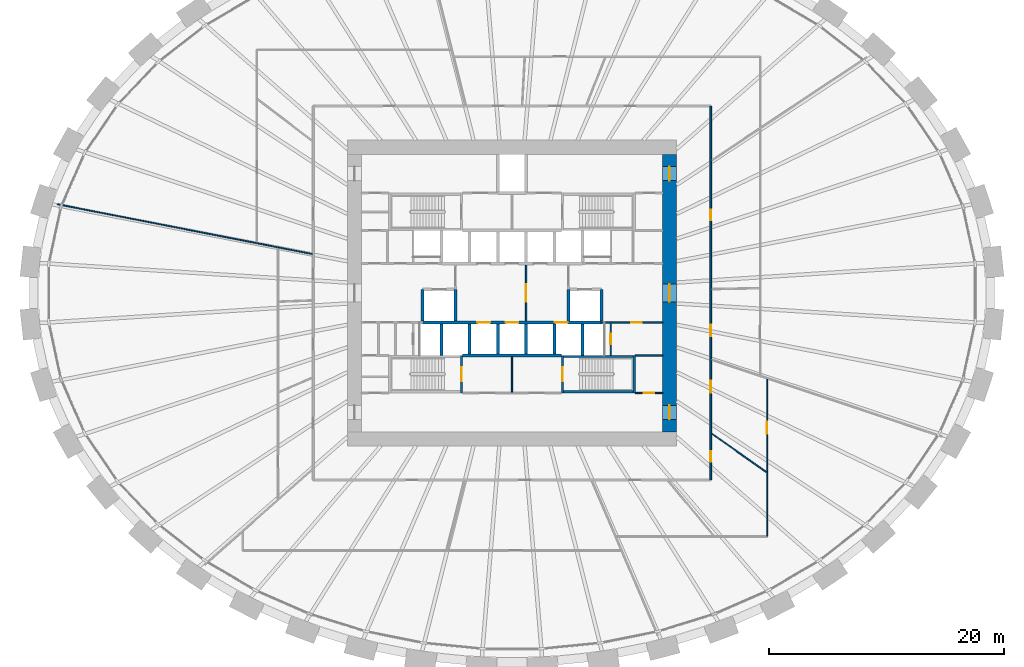
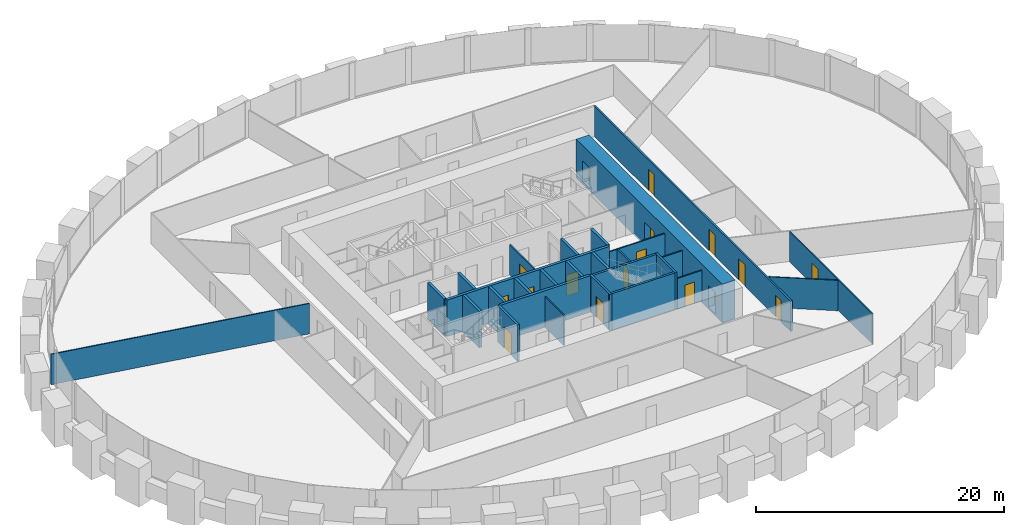
# One storey, part 7 of 10: 28 walls, 17 doors, 17 openings.
"""IFC4 building model written with IfcOpenShell, lengths in metres."""

from ifc_helpers import new_model, si_unit, direction, frame, frame_2d, origin, place, context, subcontext, project, spatial, rectangle, extrude, source, transform, mapped, material, layer, layer_set, type_object, element, fill, save


model = new_model("IFC4")

# Units and contexts
model_context = context("Model", 3, precision=1e-05, world=origin(), true_north=direction((0.0, 1.0)))
body_context = subcontext(model_context, "Body", "Model", "MODEL_VIEW")
ifc_project = project(units=[si_unit("LENGTHUNIT", "METRE"), si_unit("AREAUNIT", "SQUARE_METRE"), si_unit("VOLUMEUNIT", "CUBIC_METRE"), si_unit("PLANEANGLEUNIT", "RADIAN"), si_unit("MASSUNIT", "GRAM", prefix="KILO")], contexts=[model_context])

# Site, building, storey
site_placement = place(None, origin())
site = spatial("IfcSite", under=ifc_project, at=site_placement, CompositionType="ELEMENT")
building_placement = place(site_placement, origin())
building = spatial("IfcBuilding", under=site, at=building_placement, Name="Embergate Tower", CompositionType="ELEMENT")
storey_placement = place(building_placement, frame((0.0, 0.0, 97.10009765625)))
storey = spatial("IfcBuildingStorey", under=building, at=storey_placement, Name="L20", CompositionType="ELEMENT", Elevation=97.10009765625)

# Wall, openings, doors
ifc_material_1 = material(Name="Concrete C80", Category="concrete")
ifc_layer_1 = layer(ifc_material_1, 1.199951171875)
ifc_layer_set_1 = layer_set([ifc_layer_1], Name="Concrete C80")
wall_type_1 = type_object("IfcWallType", Name="Core outer wall C80 1200", PredefinedType="SHEAR", material=ifc_layer_set_1)
shared_shape_1 = source(origin(), body_context, "Body", "SweptSolid", [
    extrude(rectangle(XDim=23.60009765625, YDim=1.199951171875, at=frame_2d((11.800048828125, 0.0))), origin(), (0.0, 0.0, 1.0), 3.800048828125),
])
wall_1_placement = place(storey_placement, frame((13.39990234375, -11.800048828125, -0.2001953125), z_axis=(0.0, 0.0, 1.0), x_axis=(0.0, 1.0, 0.0)))
wall_1 = element("IfcWall", 1, at=wall_1_placement, inside=storey, type_object=wall_type_1, Name="CW-L20-E", PredefinedType="SHEAR", context=body_context, shape_type="MappedRepresentation", body=[
    mapped(shared_shape_1, transform((0.0, 0.0, 0.0))),
])
shared_shape_2 = source(origin(), body_context, "Body", "SweptSolid", [
    extrude(rectangle(XDim=1.199951171875, YDim=2.10009765625, at=frame_2d((0.60009765625, 1.050048828125))), frame((0.0, 0.60986328125, 0.0), z_axis=(0.0, -1.0, 0.0), x_axis=(1.0, 0.0, 0.0)), (0.0, 0.0, 1.0), 1.219970703125),
])
opening_1_placement = place(wall_1_placement, frame((21.35009765625, 0.0, 0.199951171875)))
opening_1 = element("IfcOpeningElement", 2, at=opening_1_placement, cuts=wall_1, Name="Opening IF-1", PredefinedType="OPENING", context=body_context, shape_type="MappedRepresentation", body=[
    mapped(shared_shape_2, transform((0.0, 0.0, 0.0))),
])
opening_2_placement = place(wall_1_placement, frame((1.050048828125, 0.0, 0.199951171875)))
opening_2 = element("IfcOpeningElement", 3, at=opening_2_placement, cuts=wall_1, Name="Opening IF-1", PredefinedType="OPENING", context=body_context, shape_type="MappedRepresentation", body=[
    mapped(shared_shape_2, transform((0.0, 0.0, 0.0))),
])
shared_shape_3 = source(origin(), body_context, "Body", "SweptSolid", [
    extrude(rectangle(XDim=1.5, YDim=2.10009765625, at=frame_2d((0.75, 1.050048828125))), frame((0.0, 0.60986328125, 0.0), z_axis=(0.0, -1.0, 0.0), x_axis=(1.0, 0.0, 0.0)), (0.0, 0.0, 1.0), 1.219970703125),
])
opening_3_placement = place(wall_1_placement, frame((11.050048828125, 0.0, 0.199951171875)))
opening_3 = element("IfcOpeningElement", 4, at=opening_3_placement, cuts=wall_1, Name="Opening IF-3", PredefinedType="OPENING", context=body_context, shape_type="MappedRepresentation", body=[
    mapped(shared_shape_3, transform((0.0, 0.0, 0.0))),
])
ifc_material_2 = material(Name="Escape fire door 1200")
door_type_1 = type_object("IfcDoorType", Name="Escape fire door 1200", OperationType="SINGLE_SWING_LEFT", PredefinedType="DOOR", material=ifc_material_2)
shared_shape_4 = source(origin(), body_context, "Body", "SweptSolid", [
    extrude(rectangle(XDim=1.199951171875, YDim=2.10009765625, at=frame_2d((0.60009765625, 1.050048828125))), frame((0.0, 0.02490234375, 0.0), z_axis=(0.0, -1.0, 0.0), x_axis=(1.0, 0.0, 0.0)), (0.0, 0.0, 1.0), 0.050048828125),
])
door_1_placement = place(opening_1_placement, origin())
door_1 = element("IfcDoor", 5, at=door_1_placement, inside=storey, type_object=door_type_1, Name="IF-1 door", OperationType="SINGLE_SWING_RIGHT", OverallHeight=2.10009765625, OverallWidth=1.199951171875, PredefinedType="DOOR", context=body_context, shape_type="MappedRepresentation", body=[
    mapped(shared_shape_4, transform((0.0, 0.0, 0.0))),
])
fill(opening_1, door_1)
door_2_placement = place(opening_2_placement, origin())
door_2 = element("IfcDoor", 6, at=door_2_placement, inside=storey, type_object=door_type_1, Name="IF-1 door", OperationType="SINGLE_SWING_RIGHT", OverallHeight=2.10009765625, OverallWidth=1.199951171875, PredefinedType="DOOR", context=body_context, shape_type="MappedRepresentation", body=[
    mapped(shared_shape_4, transform((0.0, 0.0, 0.0))),
])
fill(opening_2, door_2)
ifc_material_3 = material(Name="Lobby fire door pair 1500")
door_type_2 = type_object("IfcDoorType", Name="Lobby fire door pair 1500", OperationType="DOUBLE_DOOR_SINGLE_SWING", PredefinedType="DOOR", material=ifc_material_3)
shared_shape_5 = source(origin(), body_context, "Body", "SweptSolid", [
    extrude(rectangle(XDim=1.5, YDim=2.10009765625, at=frame_2d((0.75, 1.050048828125))), frame((0.0, 0.02490234375, 0.0), z_axis=(0.0, -1.0, 0.0), x_axis=(1.0, 0.0, 0.0)), (0.0, 0.0, 1.0), 0.050048828125),
])
door_3_placement = place(opening_3_placement, origin())
door_3 = element("IfcDoor", 7, at=door_3_placement, inside=storey, type_object=door_type_2, Name="IF-3 door", OperationType="DOUBLE_DOOR_SINGLE_SWING", OverallHeight=2.10009765625, OverallWidth=1.5, PredefinedType="DOOR", context=body_context, shape_type="MappedRepresentation", body=[
    mapped(shared_shape_5, transform((0.0, 0.0, 0.0))),
])
fill(opening_3, door_3)

# Wall, opening, door
ifc_material_4 = material(Name="Core partition blockwork 120")
ifc_layer_2 = layer(ifc_material_4, 0.1201171875)
ifc_layer_set_2 = layer_set([ifc_layer_2], Name="Core partition blockwork 120")
wall_type_2 = type_object("IfcWallType", Name="Core partition blockwork 120", PredefinedType="PARTITIONING", material=ifc_layer_set_2)
shared_shape_6 = source(origin(), body_context, "Body", "SweptSolid", [
    extrude(rectangle(XDim=2.739990234375, YDim=0.1201171875, at=frame_2d((1.3701171875, 0.0))), origin(), (0.0, 0.0, 1.0), 3.0),
])
wall_2_placement = place(storey_placement, frame((8.39990234375, -5.300048828125, 0.0), z_axis=(0.0, 0.0, 1.0), x_axis=(0.0, 1.0, 0.0)))
wall_2 = element("IfcWall", 8, at=wall_2_placement, inside=storey, type_object=wall_type_2, Name="IP-3 wall", PredefinedType="PARTITIONING", context=body_context, shape_type="MappedRepresentation", body=[
    mapped(shared_shape_6, transform((0.0, 0.0, 0.0))),
])
shared_shape_7 = source(origin(), body_context, "Body", "SweptSolid", [
    extrude(rectangle(XDim=0.89990234375, YDim=2.10009765625, at=frame_2d((0.449951171875, 1.050048828125))), frame((0.0, 0.070068359375, 0.0), z_axis=(0.0, -1.0, 0.0), x_axis=(1.0, 0.0, 0.0)), (0.0, 0.0, 1.0), 0.14013671875),
])
opening_4_placement = place(wall_2_placement, frame((0.949951171875, 0.0, 0.0)))
opening_4 = element("IfcOpeningElement", 9, at=opening_4_placement, cuts=wall_2, Name="Opening ID-1", PredefinedType="OPENING", context=body_context, shape_type="MappedRepresentation", body=[
    mapped(shared_shape_7, transform((0.0, 0.0, 0.0))),
])
ifc_material_5 = material(Name="Interior door 900")
door_type_3 = type_object("IfcDoorType", Name="Interior door 900", OperationType="SINGLE_SWING_LEFT", PredefinedType="DOOR", material=ifc_material_5)
shared_shape_8 = source(origin(), body_context, "Body", "SweptSolid", [
    extrude(rectangle(XDim=0.89990234375, YDim=2.10009765625, at=frame_2d((0.449951171875, 1.050048828125))), frame((0.0, 0.02490234375, 0.0), z_axis=(0.0, -1.0, 0.0), x_axis=(1.0, 0.0, 0.0)), (0.0, 0.0, 1.0), 0.050048828125),
])
door_4_placement = place(opening_4_placement, origin())
door_4 = element("IfcDoor", 10, at=door_4_placement, inside=storey, type_object=door_type_3, Name="ID-1 door", OperationType="SINGLE_SWING_LEFT", OverallHeight=2.10009765625, OverallWidth=0.89990234375, PredefinedType="DOOR", context=body_context, shape_type="MappedRepresentation", body=[
    mapped(shared_shape_8, transform((0.0, 0.0, 0.0))),
])
fill(opening_4, door_4)

shared_shape_9 = source(origin(), body_context, "Body", "SweptSolid", [
    extrude(rectangle(XDim=5.199951171875, YDim=0.1201171875, at=frame_2d((2.60009765625, 0.0))), origin(), (0.0, 0.0, 1.0), 3.0),
])
wall_3_placement = place(storey_placement, frame((12.800048828125, -2.5, 0.0), z_axis=(0.0, 0.0, 1.0), x_axis=(-1.0, 0.0, 0.0)))
wall_3 = element("IfcWall", 11, at=wall_3_placement, inside=storey, type_object=wall_type_2, Name="IP-3 wall", PredefinedType="PARTITIONING", context=body_context, shape_type="MappedRepresentation", body=[
    mapped(shared_shape_9, transform((0.0, 0.0, 0.0))),
])
opening_5_placement = place(wall_3_placement, frame((1.75, 0.0, 0.0)))
opening_5 = element("IfcOpeningElement", 12, at=opening_5_placement, cuts=wall_3, Name="Opening ID-1", PredefinedType="OPENING", context=body_context, shape_type="MappedRepresentation", body=[
    mapped(shared_shape_7, transform((0.0, 0.0, 0.0))),
])
door_5_placement = place(opening_5_placement, origin())
door_5 = element("IfcDoor", 13, at=door_5_placement, inside=storey, type_object=door_type_3, Name="ID-1 door", OperationType="SINGLE_SWING_LEFT", OverallHeight=2.10009765625, OverallWidth=0.89990234375, PredefinedType="DOOR", context=body_context, shape_type="MappedRepresentation", body=[
    mapped(shared_shape_8, transform((0.0, 0.0, 0.0))),
])
fill(opening_5, door_5)

shared_shape_10 = source(origin(), body_context, "Body", "SweptSolid", [
    extrude(rectangle(XDim=4.75, YDim=0.1201171875, at=frame_2d((2.375, 0.0))), origin(), (0.0, 0.0, 1.0), 3.0),
])
wall_4_placement = place(storey_placement, frame((1.199951171875, -2.375, 0.0), z_axis=(0.0, 0.0, 1.0), x_axis=(0.0, 1.0, 0.0)))
wall_4 = element("IfcWall", 14, at=wall_4_placement, inside=storey, type_object=wall_type_2, Name="IP-3 wall", PredefinedType="PARTITIONING", context=body_context, shape_type="MappedRepresentation", body=[
    mapped(shared_shape_10, transform((0.0, 0.0, 0.0))),
])
shared_shape_11 = source(origin(), body_context, "Body", "SweptSolid", [
    extrude(rectangle(XDim=1.5, YDim=2.10009765625, at=frame_2d((0.75, 1.050048828125))), frame((0.0, 0.070068359375, 0.0), z_axis=(0.0, -1.0, 0.0), x_axis=(1.0, 0.0, 0.0)), (0.0, 0.0, 1.0), 0.14013671875),
])
opening_6_placement = place(wall_4_placement, frame((1.625, 0.0, 0.0)))
opening_6 = element("IfcOpeningElement", 15, at=opening_6_placement, cuts=wall_4, Name="Opening IF-3", PredefinedType="OPENING", context=body_context, shape_type="MappedRepresentation", body=[
    mapped(shared_shape_11, transform((0.0, 0.0, 0.0))),
])
door_6_placement = place(opening_6_placement, origin())
door_6 = element("IfcDoor", 16, at=door_6_placement, inside=storey, type_object=door_type_2, Name="IF-3 door", OperationType="DOUBLE_DOOR_SINGLE_SWING", OverallHeight=2.10009765625, OverallWidth=1.5, PredefinedType="DOOR", context=body_context, shape_type="MappedRepresentation", body=[
    mapped(shared_shape_5, transform((0.0, 0.0, 0.0))),
])
fill(opening_6, door_6)

# Wall
shared_shape_12 = source(origin(), body_context, "Body", "SweptSolid", [
    extrude(rectangle(XDim=3.014892578125, YDim=0.1201171875, at=frame_2d((1.50732421875, 0.0))), origin(), (0.0, 0.0, 1.0), 3.0),
])
wall_5_placement = place(storey_placement, frame((0.0, -8.43994140625, 0.0), z_axis=(0.0, 0.0, 1.0), x_axis=(0.0, 1.0, 0.0)))
element("IfcWall", 17, at=wall_5_placement, inside=storey, type_object=wall_type_2, Name="IP-3 wall", PredefinedType="PARTITIONING", context=body_context, shape_type="MappedRepresentation", body=[
    mapped(shared_shape_12, transform((0.0, 0.0, 0.0))),
])

# Wall, opening, door
shared_shape_13 = source(origin(), body_context, "Body", "SweptSolid", [
    extrude(rectangle(XDim=2.300048828125, YDim=0.1201171875, at=frame_2d((1.14990234375, 0.0))), origin(), (0.0, 0.0, 1.0), 3.0),
])
wall_6_placement = place(storey_placement, frame((12.800048828125, -8.5, 0.0), z_axis=(0.0, 0.0, 1.0), x_axis=(-1.0, 0.0, 0.0)))
wall_6 = element("IfcWall", 18, at=wall_6_placement, inside=storey, type_object=wall_type_2, Name="IP-3 wall", PredefinedType="PARTITIONING", context=body_context, shape_type="MappedRepresentation", body=[
    mapped(shared_shape_13, transform((0.0, 0.0, 0.0))),
])
opening_7_placement = place(wall_6_placement, frame((0.699951171875, 0.0, 0.0)))
opening_7 = element("IfcOpeningElement", 19, at=opening_7_placement, cuts=wall_6, Name="Opening ID-1", PredefinedType="OPENING", context=body_context, shape_type="MappedRepresentation", body=[
    mapped(shared_shape_7, transform((0.0, 0.0, 0.0))),
])
door_7_placement = place(opening_7_placement, origin())
door_7 = element("IfcDoor", 20, at=door_7_placement, inside=storey, type_object=door_type_3, Name="ID-1 door", OperationType="SINGLE_SWING_RIGHT", OverallHeight=2.10009765625, OverallWidth=0.89990234375, PredefinedType="DOOR", context=body_context, shape_type="MappedRepresentation", body=[
    mapped(shared_shape_8, transform((0.0, 0.0, 0.0))),
])
fill(opening_7, door_7)

# Wall
wall_7_placement = place(storey_placement, frame((10.5, -5.300048828125, 0.0), z_axis=(0.0, 0.0, 1.0), x_axis=(1.0, 0.0, 0.0)))
element("IfcWall", 21, at=wall_7_placement, inside=storey, type_object=wall_type_2, Name="IP-3 wall", PredefinedType="PARTITIONING", context=body_context, shape_type="MappedRepresentation", body=[
    mapped(shared_shape_13, transform((0.0, 0.0, 0.0))),
])

# Wall, openings, doors
ifc_material_6 = material(Name="Corridor wall dry-lined 150")
ifc_layer_3 = layer(ifc_material_6, 0.14990234375)
ifc_layer_set_3 = layer_set([ifc_layer_3], Name="Corridor wall dry-lined 150")
wall_type_3 = type_object("IfcWallType", Name="Corridor wall dry-lined 150", PredefinedType="PARTITIONING", material=ifc_layer_set_3)
shared_shape_14 = source(origin(), body_context, "Body", "SweptSolid", [
    extrude(rectangle(XDim=31.7998046875, YDim=0.14990234375, at=frame_2d((15.89990234375, 0.0))), origin(), (0.0, 0.0, 1.0), 3.0),
])
wall_8_placement = place(storey_placement, frame((16.89990234375, 15.89990234375, 0.0), z_axis=(0.0, 0.0, 1.0), x_axis=(0.0, -1.0, 0.0)))
wall_8 = element("IfcWall", 22, at=wall_8_placement, inside=storey, type_object=wall_type_3, Name="IP-2 wall", PredefinedType="PARTITIONING", context=body_context, shape_type="MappedRepresentation", body=[
    mapped(shared_shape_14, transform((0.0, 0.0, 0.0))),
])
shared_shape_15 = source(origin(), body_context, "Body", "SweptSolid", [
    extrude(rectangle(XDim=0.89990234375, YDim=2.10009765625, at=frame_2d((0.449951171875, 1.050048828125))), frame((0.0, 0.0849609375, 0.0), z_axis=(0.0, -1.0, 0.0), x_axis=(1.0, 0.0, 0.0)), (0.0, 0.0, 1.0), 0.169921875),
])
opening_8_placement = place(wall_8_placement, frame((29.34912109375, 0.0, 0.0)))
opening_8 = element("IfcOpeningElement", 23, at=opening_8_placement, cuts=wall_8, Name="Opening IF-1c", PredefinedType="OPENING", context=body_context, shape_type="MappedRepresentation", body=[
    mapped(shared_shape_15, transform((0.0, 0.0, 0.0))),
])
shared_shape_16 = source(origin(), body_context, "Body", "SweptSolid", [
    extrude(rectangle(XDim=1.0, YDim=2.10009765625, at=frame_2d((0.5, 1.050048828125))), frame((0.0, 0.0849609375, 0.0), z_axis=(0.0, -1.0, 0.0), x_axis=(1.0, 0.0, 0.0)), (0.0, 0.0, 1.0), 0.169921875),
])
opening_9_placement = place(wall_8_placement, frame((23.37890625, 0.0, 0.0)))
opening_9 = element("IfcOpeningElement", 24, at=opening_9_placement, cuts=wall_8, Name="Opening ID-2", PredefinedType="OPENING", context=body_context, shape_type="MappedRepresentation", body=[
    mapped(shared_shape_16, transform((0.0, 0.0, 0.0))),
])
opening_10_placement = place(wall_8_placement, frame((18.580078125, 0.0, 0.0)))
opening_10 = element("IfcOpeningElement", 25, at=opening_10_placement, cuts=wall_8, Name="Opening ID-2", PredefinedType="OPENING", context=body_context, shape_type="MappedRepresentation", body=[
    mapped(shared_shape_16, transform((0.0, 0.0, 0.0))),
])
opening_11_placement = place(wall_8_placement, frame((8.822021484375, 0.0, 0.0)))
opening_11 = element("IfcOpeningElement", 26, at=opening_11_placement, cuts=wall_8, Name="Opening IF-1c", PredefinedType="OPENING", context=body_context, shape_type="MappedRepresentation", body=[
    mapped(shared_shape_15, transform((0.0, 0.0, 0.0))),
])
ifc_material_7 = material(Name="Escape fire door 900")
door_type_4 = type_object("IfcDoorType", Name="Escape fire door 900", OperationType="SINGLE_SWING_LEFT", PredefinedType="DOOR", material=ifc_material_7)
door_8_placement = place(opening_8_placement, origin())
door_8 = element("IfcDoor", 27, at=door_8_placement, inside=storey, type_object=door_type_4, Name="IF-1 door", OperationType="SINGLE_SWING_RIGHT", OverallHeight=2.10009765625, OverallWidth=0.89990234375, PredefinedType="DOOR", context=body_context, shape_type="MappedRepresentation", body=[
    mapped(shared_shape_8, transform((0.0, 0.0, 0.0))),
])
fill(opening_8, door_8)
door_9_placement = place(opening_11_placement, origin())
door_9 = element("IfcDoor", 28, at=door_9_placement, inside=storey, type_object=door_type_4, Name="IF-1 door", OperationType="SINGLE_SWING_LEFT", OverallHeight=2.10009765625, OverallWidth=0.89990234375, PredefinedType="DOOR", context=body_context, shape_type="MappedRepresentation", body=[
    mapped(shared_shape_8, transform((0.0, 0.0, 0.0))),
])
fill(opening_11, door_9)
ifc_material_8 = material(Name="Interior door 1000")
door_type_5 = type_object("IfcDoorType", Name="Interior door 1000", OperationType="SINGLE_SWING_LEFT", PredefinedType="DOOR", material=ifc_material_8)
shared_shape_17 = source(origin(), body_context, "Body", "SweptSolid", [
    extrude(rectangle(XDim=1.0, YDim=2.10009765625, at=frame_2d((0.5, 1.050048828125))), frame((0.0, 0.02490234375, 0.0), z_axis=(0.0, -1.0, 0.0), x_axis=(1.0, 0.0, 0.0)), (0.0, 0.0, 1.0), 0.050048828125),
])
door_10_placement = place(opening_9_placement, origin())
door_10 = element("IfcDoor", 29, at=door_10_placement, inside=storey, type_object=door_type_5, Name="ID-2 door", OperationType="SINGLE_SWING_RIGHT", OverallHeight=2.10009765625, OverallWidth=1.0, PredefinedType="DOOR", context=body_context, shape_type="MappedRepresentation", body=[
    mapped(shared_shape_17, transform((0.0, 0.0, 0.0))),
])
fill(opening_9, door_10)
door_11_placement = place(opening_10_placement, origin())
door_11 = element("IfcDoor", 30, at=door_11_placement, inside=storey, type_object=door_type_5, Name="ID-2 door", OperationType="SINGLE_SWING_LEFT", OverallHeight=2.10009765625, OverallWidth=1.0, PredefinedType="DOOR", context=body_context, shape_type="MappedRepresentation", body=[
    mapped(shared_shape_17, transform((0.0, 0.0, 0.0))),
])
fill(opening_10, door_11)

# Wall
ifc_material_9 = material(Name="Partition dry-lined 100")
ifc_layer_4 = layer(ifc_material_9, 0.10009765625)
ifc_layer_set_4 = layer_set([ifc_layer_4], Name="Partition dry-lined 100")
wall_type_4 = type_object("IfcWallType", Name="Partition dry-lined 100", PredefinedType="PARTITIONING", material=ifc_layer_set_4)
shared_shape_18 = source(origin(), body_context, "Body", "SweptSolid", [
    extrude(rectangle(XDim=5.64697265625, YDim=0.10009765625, at=frame_2d((2.823486328125, 0.0))), origin(), (0.0, 0.0, 1.0), 3.0),
])
wall_9_placement = place(storey_placement, frame((17.00390625, -11.971923828125, 0.0), z_axis=(0.0, 0.0, 1.0), x_axis=(0.817652649487, -0.575711859167, 0.0)))
element("IfcWall", 31, at=wall_9_placement, inside=storey, type_object=wall_type_4, Name="IP-1 wall", PredefinedType="PARTITIONING", context=body_context, shape_type="MappedRepresentation", body=[
    mapped(shared_shape_18, transform((0.0, 0.0, 0.0))),
])

# Wall, opening, door
shared_shape_19 = source(origin(), body_context, "Body", "SweptSolid", [
    extrude(rectangle(XDim=13.385986328125, YDim=0.10009765625, at=frame_2d((6.69287109375, 0.0))), origin(), (0.0, 0.0, 1.0), 3.0),
])
wall_10_placement = place(storey_placement, frame((21.699951171875, -7.31396484375, 0.0), z_axis=(0.0, 0.0, 1.0), x_axis=(0.0, -1.0, 0.0)))
wall_10 = element("IfcWall", 32, at=wall_10_placement, inside=storey, type_object=wall_type_4, Name="IP-1 wall", PredefinedType="PARTITIONING", context=body_context, shape_type="MappedRepresentation", body=[
    mapped(shared_shape_19, transform((0.0, 0.0, 0.0))),
])
shared_shape_20 = source(origin(), body_context, "Body", "SweptSolid", [
    extrude(rectangle(XDim=1.0, YDim=2.10009765625, at=frame_2d((0.5, 1.050048828125))), frame((0.0, 0.06005859375, 0.0), z_axis=(0.0, -1.0, 0.0), x_axis=(1.0, 0.0, 0.0)), (0.0, 0.0, 1.0), 0.1201171875),
])
opening_12_placement = place(wall_10_placement, frame((3.639892578125, 0.0, 0.0)))
opening_12 = element("IfcOpeningElement", 33, at=opening_12_placement, cuts=wall_10, Name="Opening ID-2", PredefinedType="OPENING", context=body_context, shape_type="MappedRepresentation", body=[
    mapped(shared_shape_20, transform((0.0, 0.0, 0.0))),
])
door_12_placement = place(opening_12_placement, origin())
door_12 = element("IfcDoor", 34, at=door_12_placement, inside=storey, type_object=door_type_5, Name="ID-2 door", OperationType="SINGLE_SWING_RIGHT", OverallHeight=2.10009765625, OverallWidth=1.0, PredefinedType="DOOR", context=body_context, shape_type="MappedRepresentation", body=[
    mapped(shared_shape_17, transform((0.0, 0.0, 0.0))),
])
fill(opening_12, door_12)

# Walls
shared_shape_21 = source(origin(), body_context, "Body", "SweptSolid", [
    extrude(rectangle(XDim=22.083740234375, YDim=0.10009765625, at=frame_2d((11.0419921875, 0.0))), origin(), (0.0, 0.0, 1.0), 3.0),
])
wall_11_placement = place(storey_placement, frame((-16.985107421875, 3.318115234375, 0.0), z_axis=(0.0, 0.0, 1.0), x_axis=(-0.981440991078, 0.191764389376, 0.0)))
element("IfcWall", 35, at=wall_11_placement, inside=storey, type_object=wall_type_4, Name="IP-1 wall", PredefinedType="PARTITIONING", context=body_context, shape_type="MappedRepresentation", body=[
    mapped(shared_shape_21, transform((0.0, 0.0, 0.0))),
])
ifc_material_10 = material(Name="Concrete C50", Category="concrete")
ifc_layer_5 = layer(ifc_material_10, 0.25)
ifc_layer_set_5 = layer_set([ifc_layer_5], Name="Concrete C50")
wall_type_5 = type_object("IfcWallType", Name="Hoistway wall reinforced concrete 250", PredefinedType="SHEAR", material=ifc_layer_set_5)
shared_shape_22 = source(origin(), body_context, "Body", "SweptSolid", [
    extrude(rectangle(XDim=2.675048828125, YDim=0.25, at=frame_2d((1.33740234375, 0.0))), origin(), (0.0, 0.0, 1.0), 3.599853515625),
])
for number, where, z_axis, x_axis, name in (
    (36, (-6.0, -5.300048828125, 0.0), (0.0, 0.0, 1.0), (0.0, 1.0, 0.0), "HW-1 wall"),
    (37, (6.0, -5.300048828125, 0.0), (0.0, 0.0, 1.0), (0.0, 1.0, 0.0), "HW-1 wall"),
    (38, (-4.800048828125, 0.300048828125, 0.0), (0.0, 0.0, 1.0), (0.0, -1.0, 0.0), "HW-1 wall"),
    (39, (4.800048828125, -2.375, 0.0), (0.0, 0.0, 1.0), (0.0, 1.0, 0.0), "HW-1 wall"),
    (40, (-7.60009765625, 0.300048828125, 0.0), (0.0, 0.0, 1.0), (0.0, -1.0, 0.0), "HW-1 wall"),
    (41, (7.60009765625, -2.375, 0.0), (0.0, 0.0, 1.0), (0.0, 1.0, 0.0), "HW-1 wall"),
):
    element("IfcWall", number, at=place(storey_placement, frame(where, z_axis=z_axis, x_axis=x_axis)), inside=storey, type_object=wall_type_5, Name=name, PredefinedType="SHEAR", context=body_context, shape_type="MappedRepresentation", body=[
        mapped(shared_shape_22, transform((0.0, 0.0, 0.0))),
    ])
ifc_layer_6 = layer(ifc_material_10, 0.199951171875)
ifc_layer_set_6 = layer_set([ifc_layer_6], Name="Concrete C50")
wall_type_6 = type_object("IfcWallType", Name="Stair enclosure wall reinforced concrete 250", PredefinedType="SHEAR", material=ifc_layer_set_6)
shared_shape_23 = source(origin(), body_context, "Body", "SweptSolid", [
    extrude(rectangle(XDim=6.300048828125, YDim=0.199951171875, at=frame_2d((3.14990234375, 0.0))), origin(), (0.0, 0.0, 1.0), 3.599853515625),
])
for number, where, z_axis, x_axis, name in (
    (42, (4.199951171875, -5.39990234375, 0.0), (0.0, 0.0, 1.0), (1.0, 0.0, 0.0), "SE-1 wall"),
    (43, (4.199951171875, -8.39990234375, 0.0), (0.0, 0.0, 1.0), (1.0, 0.0, 0.0), "SE-1 wall"),
):
    element("IfcWall", number, at=place(storey_placement, frame(where, z_axis=z_axis, x_axis=x_axis)), inside=storey, type_object=wall_type_6, Name=name, PredefinedType="SHEAR", context=body_context, shape_type="MappedRepresentation", body=[
        mapped(shared_shape_23, transform((0.0, 0.0, 0.0))),
    ])
shared_shape_24 = source(origin(), body_context, "Body", "SweptSolid", [
    extrude(rectangle(XDim=2.550048828125, YDim=0.25, at=frame_2d((1.27490234375, 0.0))), origin(), (0.0, 0.0, 1.0), 3.599853515625),
])
for number, where, z_axis, x_axis, name in (
    (44, (-3.60009765625, -5.175048828125, 0.0), (0.0, 0.0, 1.0), (0.0, 1.0, 0.0), "HW-1 wall"),
    (45, (-1.199951171875, -5.175048828125, 0.0), (0.0, 0.0, 1.0), (0.0, 1.0, 0.0), "HW-1 wall"),
    (46, (1.199951171875, -5.175048828125, 0.0), (0.0, 0.0, 1.0), (0.0, 1.0, 0.0), "HW-1 wall"),
    (47, (3.60009765625, -5.175048828125, 0.0), (0.0, 0.0, 1.0), (0.0, 1.0, 0.0), "HW-1 wall"),
):
    element("IfcWall", number, at=place(storey_placement, frame(where, z_axis=z_axis, x_axis=x_axis)), inside=storey, type_object=wall_type_5, Name=name, PredefinedType="SHEAR", context=body_context, shape_type="MappedRepresentation", body=[
        mapped(shared_shape_24, transform((0.0, 0.0, 0.0))),
    ])
shared_shape_25 = source(origin(), body_context, "Body", "SweptSolid", [
    extrude(rectangle(XDim=8.39990234375, YDim=0.25, at=frame_2d((4.199951171875, 0.0))), origin(), (0.0, 0.0, 1.0), 3.599853515625),
])
wall_12_placement = place(storey_placement, frame((-4.199951171875, -5.300048828125, 0.0), z_axis=(0.0, 0.0, 1.0), x_axis=(1.0, 0.0, 0.0)))
element("IfcWall", 48, at=wall_12_placement, inside=storey, type_object=wall_type_5, Name="HW-1 wall", PredefinedType="SHEAR", context=body_context, shape_type="MappedRepresentation", body=[
    mapped(shared_shape_25, transform((0.0, 0.0, 0.0))),
])

# Wall, openings, doors
shared_shape_26 = source(origin(), body_context, "Body", "SweptSolid", [
    extrude(rectangle(XDim=15.2001953125, YDim=0.25, at=frame_2d((7.60009765625, 0.0))), origin(), (0.0, 0.0, 1.0), 3.599853515625),
])
wall_13_placement = place(storey_placement, frame((7.60009765625, -2.5, 0.0), z_axis=(0.0, 0.0, 1.0), x_axis=(-1.0, 0.0, 0.0)))
wall_13 = element("IfcWall", 49, at=wall_13_placement, inside=storey, type_object=wall_type_5, Name="HW-1 wall", PredefinedType="SHEAR", context=body_context, shape_type="MappedRepresentation", body=[
    mapped(shared_shape_26, transform((0.0, 0.0, 0.0))),
])
shared_shape_27 = source(origin(), body_context, "Body", "SweptSolid", [
    extrude(rectangle(XDim=1.10009765625, YDim=2.10009765625, at=frame_2d((0.550048828125, 1.050048828125))), frame((0.0, 0.135009765625, 0.0), z_axis=(0.0, -1.0, 0.0), x_axis=(1.0, 0.0, 0.0)), (0.0, 0.0, 1.0), 0.27001953125),
])
opening_13_placement = place(wall_13_placement, frame((9.449951171875, 0.0, 0.0)))
opening_13 = element("IfcOpeningElement", 50, at=opening_13_placement, cuts=wall_13, Name="Opening LD", PredefinedType="OPENING", context=body_context, shape_type="MappedRepresentation", body=[
    mapped(shared_shape_27, transform((0.0, 0.0, 0.0))),
])
opening_14_placement = place(wall_13_placement, frame((7.050048828125, 0.0, 0.0)))
opening_14 = element("IfcOpeningElement", 51, at=opening_14_placement, cuts=wall_13, Name="Opening LD", PredefinedType="OPENING", context=body_context, shape_type="MappedRepresentation", body=[
    mapped(shared_shape_27, transform((0.0, 0.0, 0.0))),
])
opening_15_placement = place(wall_13_placement, frame((2.85009765625, 0.0, 0.0)))
opening_15 = element("IfcOpeningElement", 52, at=opening_15_placement, cuts=wall_13, Name="Opening LD", PredefinedType="OPENING", context=body_context, shape_type="MappedRepresentation", body=[
    mapped(shared_shape_27, transform((0.0, 0.0, 0.0))),
])
ifc_material_11 = material(Name="Landing door sliding 1100")
door_type_6 = type_object("IfcDoorType", Name="Landing door sliding 1100", OperationType="SLIDING_TO_LEFT", PredefinedType="DOOR", material=ifc_material_11)
shared_shape_28 = source(origin(), body_context, "Body", "SweptSolid", [
    extrude(rectangle(XDim=1.10009765625, YDim=2.10009765625, at=frame_2d((0.550048828125, 1.050048828125))), frame((0.0, 0.02490234375, 0.0), z_axis=(0.0, -1.0, 0.0), x_axis=(1.0, 0.0, 0.0)), (0.0, 0.0, 1.0), 0.050048828125),
])
door_13_placement = place(opening_13_placement, origin())
door_13 = element("IfcDoor", 53, at=door_13_placement, inside=storey, type_object=door_type_6, Name="LD door", OperationType="SLIDING_TO_RIGHT", OverallHeight=2.10009765625, OverallWidth=1.10009765625, PredefinedType="DOOR", context=body_context, shape_type="MappedRepresentation", body=[
    mapped(shared_shape_28, transform((0.0, 0.0, 0.0))),
])
fill(opening_13, door_13)
door_14_placement = place(opening_14_placement, origin())
door_14 = element("IfcDoor", 54, at=door_14_placement, inside=storey, type_object=door_type_6, Name="LD door", OperationType="SLIDING_TO_RIGHT", OverallHeight=2.10009765625, OverallWidth=1.10009765625, PredefinedType="DOOR", context=body_context, shape_type="MappedRepresentation", body=[
    mapped(shared_shape_28, transform((0.0, 0.0, 0.0))),
])
fill(opening_14, door_14)
door_15_placement = place(opening_15_placement, origin())
door_15 = element("IfcDoor", 55, at=door_15_placement, inside=storey, type_object=door_type_6, Name="LD door", OperationType="SLIDING_TO_RIGHT", OverallHeight=2.10009765625, OverallWidth=1.10009765625, PredefinedType="DOOR", context=body_context, shape_type="MappedRepresentation", body=[
    mapped(shared_shape_28, transform((0.0, 0.0, 0.0))),
])
fill(opening_15, door_15)

# Wall, opening, door
shared_shape_29 = source(origin(), body_context, "Body", "SweptSolid", [
    extrude(rectangle(XDim=3.199951171875, YDim=0.199951171875, at=frame_2d((1.60009765625, 0.0))), origin(), (0.0, 0.0, 1.0), 3.599853515625),
])
wall_14_placement = place(storey_placement, frame((-4.300048828125, -8.5, 0.0), z_axis=(0.0, 0.0, 1.0), x_axis=(0.0, 1.0, 0.0)))
wall_14 = element("IfcWall", 56, at=wall_14_placement, inside=storey, type_object=wall_type_6, Name="SE-1 wall", PredefinedType="SHEAR", context=body_context, shape_type="MappedRepresentation", body=[
    mapped(shared_shape_29, transform((0.0, 0.0, 0.0))),
])
shared_shape_30 = source(origin(), body_context, "Body", "SweptSolid", [
    extrude(rectangle(XDim=1.199951171875, YDim=2.10009765625, at=frame_2d((0.60009765625, 1.050048828125))), frame((0.0, 0.10986328125, 0.0), z_axis=(0.0, -1.0, 0.0), x_axis=(1.0, 0.0, 0.0)), (0.0, 0.0, 1.0), 0.219970703125),
])
opening_16_placement = place(wall_14_placement, frame((1.0, 0.0, 0.0)))
opening_16 = element("IfcOpeningElement", 57, at=opening_16_placement, cuts=wall_14, Name="Opening IF-2", PredefinedType="OPENING", context=body_context, shape_type="MappedRepresentation", body=[
    mapped(shared_shape_30, transform((0.0, 0.0, 0.0))),
])
ifc_material_12 = material(Name="Stair enclosure door 1200")
door_type_7 = type_object("IfcDoorType", Name="Stair enclosure door 1200", OperationType="SINGLE_SWING_LEFT", PredefinedType="DOOR", material=ifc_material_12)
door_16_placement = place(opening_16_placement, origin())
door_16 = element("IfcDoor", 58, at=door_16_placement, inside=storey, type_object=door_type_7, Name="IF-2 door", OperationType="SINGLE_SWING_LEFT", OverallHeight=2.10009765625, OverallWidth=1.199951171875, PredefinedType="DOOR", context=body_context, shape_type="MappedRepresentation", body=[
    mapped(shared_shape_4, transform((0.0, 0.0, 0.0))),
])
fill(opening_16, door_16)

wall_15_placement = place(storey_placement, frame((4.300048828125, -5.300048828125, 0.0), z_axis=(0.0, 0.0, 1.0), x_axis=(0.0, -1.0, 0.0)))
wall_15 = element("IfcWall", 59, at=wall_15_placement, inside=storey, type_object=wall_type_6, Name="SE-1 wall", PredefinedType="SHEAR", context=body_context, shape_type="MappedRepresentation", body=[
    mapped(shared_shape_29, transform((0.0, 0.0, 0.0))),
])
opening_17_placement = place(wall_15_placement, frame((1.0, 0.0, 0.0)))
opening_17 = element("IfcOpeningElement", 60, at=opening_17_placement, cuts=wall_15, Name="Opening IF-2", PredefinedType="OPENING", context=body_context, shape_type="MappedRepresentation", body=[
    mapped(shared_shape_30, transform((0.0, 0.0, 0.0))),
])
door_17_placement = place(opening_17_placement, origin())
door_17 = element("IfcDoor", 61, at=door_17_placement, inside=storey, type_object=door_type_7, Name="IF-2 door", OperationType="SINGLE_SWING_LEFT", OverallHeight=2.10009765625, OverallWidth=1.199951171875, PredefinedType="DOOR", context=body_context, shape_type="MappedRepresentation", body=[
    mapped(shared_shape_4, transform((0.0, 0.0, 0.0))),
])
fill(opening_17, door_17)

# Wall
wall_16_placement = place(storey_placement, frame((10.39990234375, -8.5, 0.0), z_axis=(0.0, 0.0, 1.0), x_axis=(0.0, 1.0, 0.0)))
element("IfcWall", 62, at=wall_16_placement, inside=storey, type_object=wall_type_6, Name="SE-1 wall", PredefinedType="SHEAR", context=body_context, shape_type="MappedRepresentation", body=[
    mapped(shared_shape_29, transform((0.0, 0.0, 0.0))),
])

save(model, "model.ifc")
